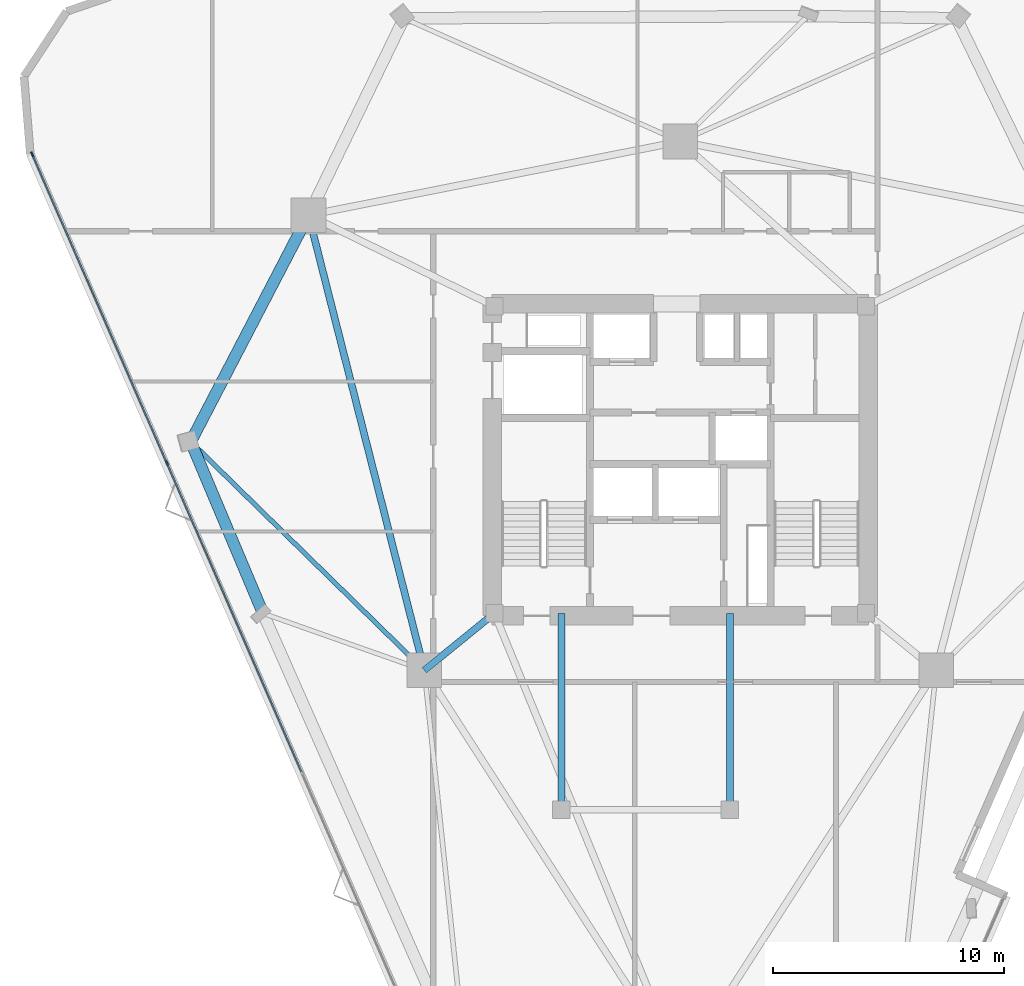
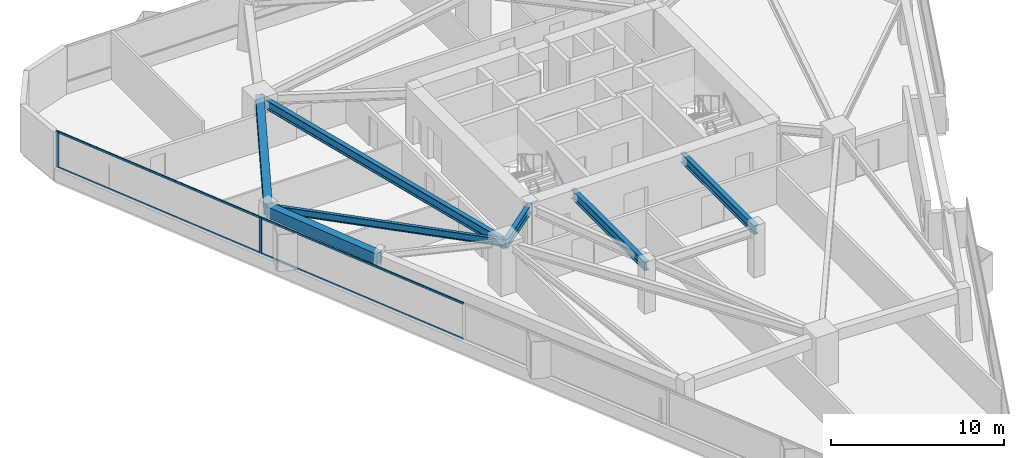
# One storey, part 4 of 12: 7 beams, 6 members, 1 element without a shape of its own.
"""IFC4 building model written with IfcOpenShell, lengths in metres."""

from ifc_helpers import new_model, si_unit, direction, frame, origin, origin_2d, place, context, subcontext, project, spatial, rectangle, i_section, extrude, material, layer, layer_set, material_profile, profile_set, type_object, element, aggregate, save


model = new_model("IFC4")

# Units and contexts
model_context = context("Model", 3, precision=1e-05, world=origin(), true_north=direction((0.0, 1.0)))
body_context = subcontext(model_context, "Body", "Model", "MODEL_VIEW")
ifc_project = project(units=[si_unit("LENGTHUNIT", "METRE"), si_unit("AREAUNIT", "SQUARE_METRE"), si_unit("VOLUMEUNIT", "CUBIC_METRE"), si_unit("PLANEANGLEUNIT", "RADIAN"), si_unit("MASSUNIT", "GRAM", prefix="KILO")], contexts=[model_context])

# Site, building, storey
site_placement = place(None, origin())
site = spatial("IfcSite", under=ifc_project, at=site_placement, CompositionType="ELEMENT")
building_placement = place(site_placement, origin())
building = spatial("IfcBuilding", under=site, at=building_placement, Name="Talyreon Biosciences Tower", CompositionType="ELEMENT")
storey_placement = place(building_placement, frame((0.0, 0.0, 152.75)))
storey = spatial("IfcBuildingStorey", under=building, at=storey_placement, Name="L40", CompositionType="ELEMENT", Elevation=152.75)

# Curtain wall, members
ifc_material_1 = material(Name="Thermally broken aluminium and low-E glazing", Category="aluminium")
ifc_layer = layer(ifc_material_1, 0.205078125)
ifc_layer_set = layer_set([ifc_layer], Name="Thermally broken aluminium and low-E glazing")
curtain_wall_type = type_object("IfcCurtainWallType", Name="CurtainWall_SkyGardenLoggia", PredefinedType="NOTDEFINED", material=ifc_layer_set)
curtain_wall_placement = place(storey_placement, origin())
curtain_wall = element("IfcCurtainWall", 1, at=curtain_wall_placement, inside=storey, type_object=curtain_wall_type, Name="L40 Unitised Curtain Wall FCW-L40-15", PredefinedType="NOTDEFINED")
ifc_material_2 = material(Name="Anodised thermally broken aluminium", Category="aluminium")
ifc_material_profile_1 = material_profile(ifc_material_2, rectangle(XDim=0.074951171875, YDim=0.2099609375, at=origin_2d()), Name="ALUM MULLION 75x210")
ifc_profile_set_1 = profile_set([ifc_material_profile_1], Name="Anodised thermally broken aluminium")
member_type_1 = type_object("IfcMemberType", Name="CWMullion_75x210", PredefinedType="MULLION", material=ifc_profile_set_1)
member_1_placement = place(storey_placement, frame((43.762451171875, 67.861328125, 0.81005859375), z_axis=(0.0, 0.0, 1.0), x_axis=(-0.916646882049, -0.399698003034, 0.0)))
member_1 = element("IfcMember", 2, at=member_1_placement, type_object=member_type_1, Name="CW7 mullion 4", PredefinedType="MULLION", context=body_context, shape_type="SweptSolid", body=[
    extrude(rectangle(XDim=0.074951171875, YDim=0.2099609375, at=origin_2d()), origin(), (0.0, 0.0, 1.0), 2.56494140625),
])
member_2_placement = place(storey_placement, frame((37.929443359375, 81.238525390625, 0.81005859375), z_axis=(0.0, 0.0, 1.0), x_axis=(-0.916646882049, -0.399698003034, 0.0)))
member_2 = element("IfcMember", 3, at=member_2_placement, type_object=member_type_1, Name="CW7 mullion 5", PredefinedType="MULLION", context=body_context, shape_type="SweptSolid", body=[
    extrude(rectangle(XDim=0.074951171875, YDim=0.2099609375, at=origin_2d()), origin(), (0.0, 0.0, 1.0), 2.56494140625),
])
ifc_material_profile_2 = material_profile(ifc_material_2, rectangle(XDim=0.06494140625, YDim=0.139892578125, at=origin_2d()), Name="ALUM TRANSOM 65x140")
ifc_profile_set_2 = profile_set([ifc_material_profile_2], Name="Anodised thermally broken aluminium")
member_type_2 = type_object("IfcMemberType", Name="CWTransom_65x140", PredefinedType="USERDEFINED", material=ifc_profile_set_2)
member_3_placement = place(storey_placement, frame((49.595458984375, 54.48388671875, 0.842529296875), z_axis=(-0.399696725233, 0.916647439225, 0.0), x_axis=(-0.916647439225, -0.399696725233, 0.0)))
member_3 = element("IfcMember", 4, at=member_3_placement, type_object=member_type_2, Name="CW7 transom 3.1", ObjectType="TRANSOM", PredefinedType="USERDEFINED", context=body_context, shape_type="SweptSolid", body=[
    extrude(rectangle(XDim=0.06494140625, YDim=0.139892578125, at=origin_2d()), origin(), (0.0, 0.0, 1.0), 14.556396484375),
])
member_4_placement = place(storey_placement, frame((49.595458984375, 54.48388671875, 3.342529296875), z_axis=(-0.399696725233, 0.916647439225, 0.0), x_axis=(-0.916647439225, -0.399696725233, 0.0)))
member_4 = element("IfcMember", 5, at=member_4_placement, type_object=member_type_2, Name="CW7 transom 3.2", ObjectType="TRANSOM", PredefinedType="USERDEFINED", context=body_context, shape_type="SweptSolid", body=[
    extrude(rectangle(XDim=0.06494140625, YDim=0.139892578125, at=origin_2d()), origin(), (0.0, 0.0, 1.0), 14.556396484375),
])
member_5_placement = place(storey_placement, frame((43.74755859375, 67.8955078125, 0.842529296875), z_axis=(-0.399703534205, 0.916644470198, 0.0), x_axis=(-0.916644470198, -0.399703534205, 0.0)))
member_5 = element("IfcMember", 6, at=member_5_placement, type_object=member_type_2, Name="CW7 transom 4.1", ObjectType="TRANSOM", PredefinedType="USERDEFINED", context=body_context, shape_type="SweptSolid", body=[
    extrude(rectangle(XDim=0.06494140625, YDim=0.139892578125, at=origin_2d()), origin(), (0.0, 0.0, 1.0), 14.518798828125),
])
member_6_placement = place(storey_placement, frame((43.74755859375, 67.8955078125, 3.342529296875), z_axis=(-0.399703534205, 0.916644470198, 0.0), x_axis=(-0.916644470198, -0.399703534205, 0.0)))
member_6 = element("IfcMember", 7, at=member_6_placement, type_object=member_type_2, Name="CW7 transom 4.2", ObjectType="TRANSOM", PredefinedType="USERDEFINED", context=body_context, shape_type="SweptSolid", body=[
    extrude(rectangle(XDim=0.06494140625, YDim=0.139892578125, at=origin_2d()), origin(), (0.0, 0.0, 1.0), 14.518798828125),
])
aggregate(curtain_wall, [member_1, member_2, member_3, member_4, member_5, member_6])

# Beams
ifc_material_3 = material(Name="Precast concrete C45/55", Category="concrete")
ifc_material_profile_3 = material_profile(ifc_material_3, rectangle(XDim=0.5, YDim=0.780029296875, at=origin_2d()), Name="RCB 500x780")
ifc_profile_set_3 = profile_set([ifc_material_profile_3], Name="Precast concrete C45/55")
beam_type_1 = type_object("IfcBeamType", Name="ExpressedSpandrel_500x780", PredefinedType="SPANDREL", material=ifc_profile_set_3)
beam_1_placement = place(storey_placement, frame((49.897705078125, 78.5986328125, 2.985107421875), z_axis=(-0.461239459246, -0.887275696294, 0.0), x_axis=(0.887275696294, -0.461239459246, 0.0)))
element("IfcBeam", 8, at=beam_1_placement, inside=storey, type_object=beam_type_1, Name="L40 Expressed Horizontal Concrete Spandrel 09", PredefinedType="SPANDREL", context=body_context, shape_type="SweptSolid", body=[
    extrude(rectangle(XDim=0.5, YDim=0.780029296875, at=origin_2d()), origin(), (0.0, 0.0, 1.0), 11.0615234375),
])
beam_2_placement = place(storey_placement, frame((44.795654296875, 68.783935546875, 2.985107421875), z_axis=(0.388157147133, -0.921593201543, 0.0), x_axis=(0.921593201543, 0.388157147133, 0.0)))
element("IfcBeam", 9, at=beam_2_placement, inside=storey, type_object=beam_type_1, Name="L40 Expressed Horizontal Concrete Spandrel 10", PredefinedType="SPANDREL", context=body_context, shape_type="SweptSolid", body=[
    extrude(rectangle(XDim=0.5, YDim=0.780029296875, at=origin_2d()), origin(), (0.0, 0.0, 1.0), 8.064697265625),
])
ifc_material_4 = material(Name="Steel SM355", Category="steel")
ifc_material_profile_4 = material_profile(ifc_material_4, i_section(OverallWidth=0.300048828125, OverallDepth=0.64990234375, WebThickness=0.01611328125, FlangeThickness=0.031005859375, FilletRadius=0.027099609375, at=origin_2d()), Name="HE650B")
ifc_profile_set_4 = profile_set([ifc_material_profile_4], Name="Steel SM355")
beam_type_2 = type_object("IfcBeamType", Name="SteelBeam_HE650B", PredefinedType="BEAM", material=ifc_profile_set_4)
beam_3_placement = place(storey_placement, frame((49.897705078125, 78.5986328125, 3.050048828125), z_axis=(0.246537082299, -0.969133358755, 0.0), x_axis=(0.969133358755, 0.246537082299, 0.0)))
element("IfcBeam", 10, at=beam_3_placement, inside=storey, type_object=beam_type_2, Name="L40 Mega-Ring Girder 5", PredefinedType="BEAM", context=body_context, shape_type="SweptSolid", body=[
    extrude(i_section(OverallWidth=0.300048828125, OverallDepth=0.64990234375, WebThickness=0.01611328125, FlangeThickness=0.031005859375, FilletRadius=0.027099609375, at=origin_2d()), origin(), (0.0, 0.0, 1.0), 20.34619140625),
])
beam_4_placement = place(storey_placement, frame((57.949951171875, 61.35009765625, 3.050048828125), z_axis=(-0.775755154013, -0.631034025249, 0.0), x_axis=(0.631034025249, -0.775755154013, 0.0)))
element("IfcBeam", 11, at=beam_4_placement, inside=storey, type_object=beam_type_2, Name="L40 Radial Primary Girder 6", PredefinedType="BEAM", context=body_context, shape_type="SweptSolid", body=[
    extrude(i_section(OverallWidth=0.300048828125, OverallDepth=0.64990234375, WebThickness=0.01611328125, FlangeThickness=0.031005859375, FilletRadius=0.027099609375, at=origin_2d()), origin(), (0.0, 0.0, 1.0), 3.913818359375),
])
for number, where, z_axis, x_axis, name in (
    (12, (60.85009765625, 52.840087890625, 3.050048828125), (0.0, 1.0, 0.0), (-1.0, 0.0, 0.0), "L40 Crown Shaft Tie Girder W"),
    (13, (68.14990234375, 52.840087890625, 3.050048828125), (0.0, 1.0, 0.0), (-1.0, 0.0, 0.0), "L40 Crown Shaft Tie Girder E"),
):
    element("IfcBeam", number, at=place(storey_placement, frame(where, z_axis=z_axis, x_axis=x_axis)), inside=storey, type_object=beam_type_2, Name=name, PredefinedType="BEAM", context=body_context, shape_type="SweptSolid", body=[
        extrude(i_section(OverallWidth=0.300048828125, OverallDepth=0.64990234375, WebThickness=0.01611328125, FlangeThickness=0.031005859375, FilletRadius=0.027099609375, at=origin_2d()), origin(), (0.0, 0.0, 1.0), 8.510009765625),
    ])
ifc_material_profile_5 = material_profile(ifc_material_4, i_section(OverallWidth=0.199951171875, OverallDepth=0.5, WebThickness=0.01025390625, FlangeThickness=0.01611328125, FilletRadius=0.02099609375, at=origin_2d()), Name="IPE500")
ifc_profile_set_5 = profile_set([ifc_material_profile_5], Name="Steel SM355")
beam_type_3 = type_object("IfcBeamType", Name="SteelJoist_IPE500", PredefinedType="JOIST", material=ifc_profile_set_5)
beam_5_placement = place(storey_placement, frame((54.913818359375, 58.88037109375, 3.125), z_axis=(-0.714644740121, 0.699487594899, 0.0), x_axis=(-0.699487594899, -0.714644740121, 0.0)))
element("IfcBeam", 14, at=beam_5_placement, inside=storey, type_object=beam_type_3, Name="L40 Radial Composite Floor Joist PC-SW1", PredefinedType="JOIST", context=body_context, shape_type="SweptSolid", body=[
    extrude(i_section(OverallWidth=0.199951171875, OverallDepth=0.5, WebThickness=0.01025390625, FlangeThickness=0.01611328125, FilletRadius=0.02099609375, at=origin_2d()), origin(), (0.0, 0.0, 1.0), 14.158203125),
])

save(model, "model.ifc")
